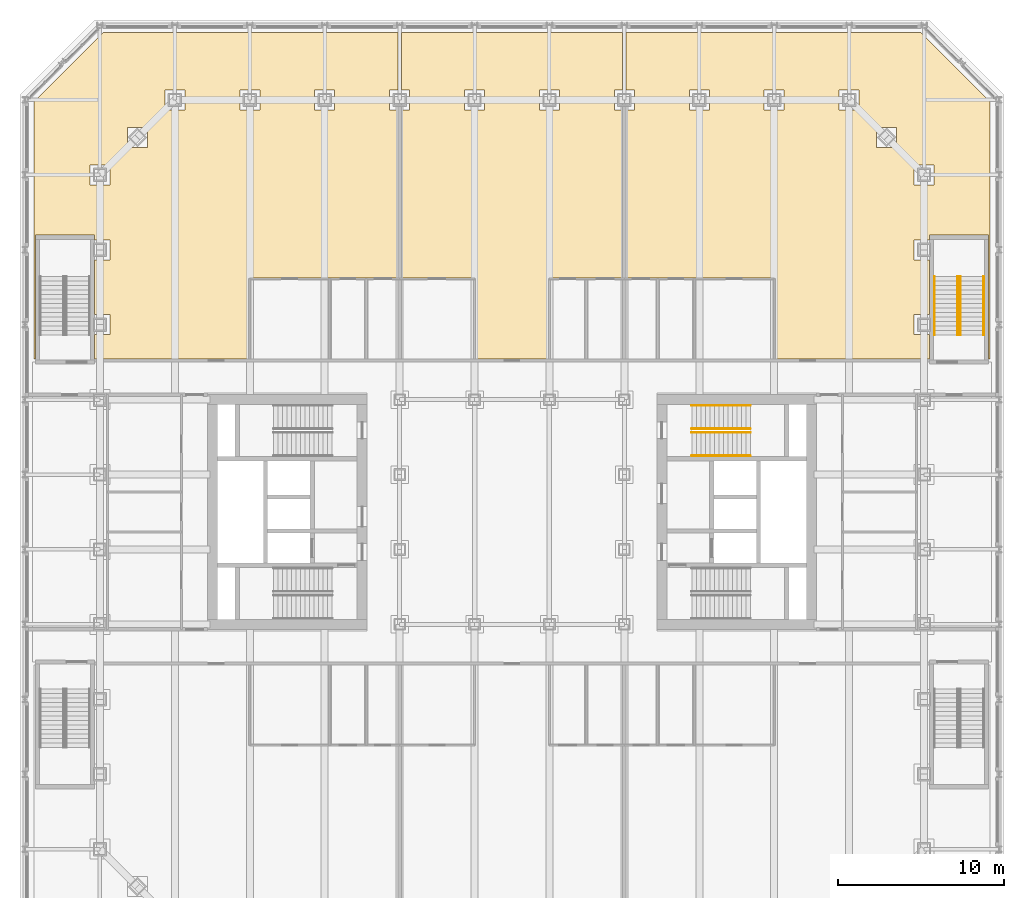
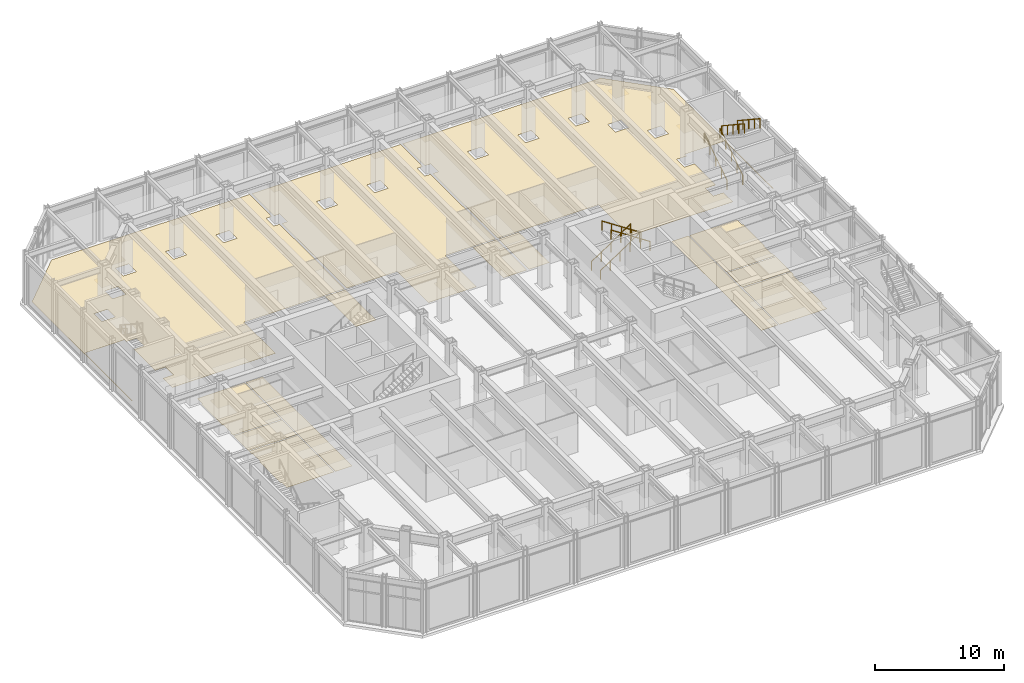
# One storey, part 19 of 19: 8 railings, 1 covering.
"""IFC4 building model written with IfcOpenShell, lengths in metres."""

from ifc_helpers import new_model, si_unit, direction, frame, origin, origin_2d, place, context, subcontext, project, spatial, line, indexed_curve, circle, outline, extrude, material, layer, layer_set, type_object, element, save


model = new_model("IFC4")

# Units and contexts
model_context = context("Model", 3, precision=1e-05, world=origin(), true_north=direction((0.0, 1.0)))
body_context = subcontext(model_context, "Body", "Model", "MODEL_VIEW")
ifc_project = project(units=[si_unit("LENGTHUNIT", "METRE"), si_unit("AREAUNIT", "SQUARE_METRE"), si_unit("VOLUMEUNIT", "CUBIC_METRE"), si_unit("PLANEANGLEUNIT", "RADIAN"), si_unit("MASSUNIT", "GRAM", prefix="KILO")], contexts=[model_context])

# Site, building, storey
site_placement = place(None, origin())
site = spatial("IfcSite", under=ifc_project, at=site_placement, CompositionType="ELEMENT")
building_placement = place(site_placement, origin())
building = spatial("IfcBuilding", under=site, at=building_placement, Name="Msasa Ring Tower", CompositionType="ELEMENT")
storey_placement = place(building_placement, frame((0.0, 0.0, 6.0)))
storey = spatial("IfcBuildingStorey", under=building, at=storey_placement, Name="L01", CompositionType="ELEMENT", Elevation=6.0)

# Covering
ifc_material_1 = material(Name="Porcelain floor tiles in adhesive", Category="ceramic")
ifc_layer = layer(ifc_material_1, 0.010009765625)
ifc_layer_set = layer_set([ifc_layer], Name="F4 PORCELAIN TILE ON ADHESIVE 10")
covering_type = type_object("IfcCoveringType", Name="F4 PORCELAIN TILE ON ADHESIVE 10", PredefinedType="FLOORING", material=ifc_layer_set)
covering_placement = place(storey_placement, origin())
element("IfcCovering", 1, at=covering_placement, inside=storey, type_object=covering_type, Name="Porcelain Tile On Adhesive 10 L01", PredefinedType="FLOORING", context=body_context, shape_type="SweptSolid", body=[
    extrude(outline(indexed_curve([(-28.630615234375, 9.200439453125), (-28.699462890625, 9.200439453125), (-28.699462890625, 24.663330078125), (-24.5634765625, 28.799560546875), (-6.8505859375, 28.799560546875), (-6.8505859375, 25.3505859375), (-7.3505859375, 25.3505859375), (-7.3505859375, 24.1494140625), (-6.8505859375, 24.1494140625), (-6.8505859375, 14.060546875), (-15.8505859375, 14.060546875), (-15.8505859375, 9.200439453125), (-25.069580078125, 9.200439453125), (-25.069580078125, 10.6494140625), (-24.1494140625, 10.6494140625), (-24.1494140625, 11.8505859375), (-25.069580078125, 11.8505859375), (-25.069580078125, 15.1494140625), (-24.1494140625, 15.1494140625), (-24.1494140625, 16.3505859375), (-25.069580078125, 16.3505859375), (-25.069580078125, 16.630615234375), (-28.630615234375, 16.630615234375)], segments=[line(1, 2, 3, 4, 5, 6, 7, 8, 9, 10, 11, 12, 13, 14, 15, 16, 17, 18, 19, 20, 21, 22, 23, 1)], self_intersect=False), holes=[indexed_curve([(-24.1494140625, 19.6494140625), (-24.1494140625, 20.8505859375), (-25.3505859375, 20.8505859375), (-25.3505859375, 19.6494140625)], segments=[line(1, 2, 3, 4, 1)], self_intersect=False), indexed_curve([(-21.8994140625, 21.8994140625), (-21.8994140625, 23.1005859375), (-23.1005859375, 23.1005859375), (-23.1005859375, 21.8994140625)], segments=[line(1, 2, 3, 4, 1)], self_intersect=False), indexed_curve([(-15.1494140625, 24.1494140625), (-15.1494140625, 25.3505859375), (-16.3505859375, 25.3505859375), (-16.3505859375, 24.1494140625)], segments=[line(1, 2, 3, 4, 1)], self_intersect=False), indexed_curve([(-10.6494140625, 24.1494140625), (-10.6494140625, 25.3505859375), (-11.8505859375, 25.3505859375), (-11.8505859375, 24.1494140625)], segments=[line(1, 2, 3, 4, 1)], self_intersect=False), indexed_curve([(-20.8505859375, 24.1494140625), (-19.6494140625, 24.1494140625), (-19.6494140625, 25.3505859375), (-20.8505859375, 25.3505859375)], segments=[line(1, 2, 3, 4, 1)], self_intersect=False)]), origin(), (0.0, 0.0, 1.0), 0.010009765625),
    extrude(outline(indexed_curve([(-24.239501953125, -2.8505859375), (-24.1494140625, -2.8505859375), (-24.1494140625, -1.6494140625), (-24.239501953125, -1.6494140625), (-24.239501953125, -1.255615234375), (-19.905517578125, -1.255615234375), (-19.905517578125, -6.949462890625), (-24.1494140625, -6.949462890625), (-24.1494140625, -6.1494140625), (-24.239501953125, -6.1494140625)], segments=[line(1, 2, 3, 4, 5, 6, 7, 8, 9, 10, 1)], self_intersect=False)), origin(), (0.0, 0.0, 1.0), 0.010009765625),
    extrude(outline(indexed_curve([(-19.905517578125, 1.14453125), (-19.905517578125, -1.14453125), (-24.239501953125, -1.14453125), (-24.239501953125, 1.14453125)], segments=[line(1, 2, 3, 4, 1)], self_intersect=False)), origin(), (0.0, 0.0, 1.0), 0.010009765625),
    extrude(outline(indexed_curve([(-19.905517578125, 1.255615234375), (-24.239501953125, 1.255615234375), (-24.239501953125, 1.6494140625), (-24.1494140625, 1.6494140625), (-24.1494140625, 2.8505859375), (-24.239501953125, 2.8505859375), (-24.239501953125, 6.1494140625), (-24.1494140625, 6.1494140625), (-24.1494140625, 6.949462890625), (-19.905517578125, 6.949462890625)], segments=[line(1, 2, 3, 4, 5, 6, 7, 8, 9, 10, 1)], self_intersect=False)), origin(), (0.0, 0.0, 1.0), 0.010009765625),
    extrude(outline(indexed_curve([(-18.300537109375, 6.949462890625), (-18.300537109375, -6.949462890625), (-19.79443359375, -6.949462890625), (-19.79443359375, 6.949462890625)], segments=[line(1, 2, 3, 4, 1)], self_intersect=False)), origin(), (0.0, 0.0, 1.0), 0.010009765625),
    extrude(outline(indexed_curve([(-6.8505859375, 13.939453125), (-6.8505859375, 9.200439453125), (-8.6494140625, 9.200439453125), (-8.6494140625, 13.939453125)], segments=[line(1, 2, 3, 4, 1)], self_intersect=False)), origin(), (0.0, 0.0, 1.0), 0.010009765625),
    extrude(outline(indexed_curve([(6.6494140625, 28.799560546875), (6.6494140625, 25.3505859375), (6.1494140625, 25.3505859375), (6.1494140625, 24.1494140625), (6.6494140625, 24.1494140625), (6.6494140625, 14.060546875), (2.1494140625, 14.060546875), (2.1494140625, 9.200439453125), (-2.1494140625, 9.200439453125), (-2.1494140625, 14.060546875), (-6.6494140625, 14.060546875), (-6.6494140625, 24.1494140625), (-6.1494140625, 24.1494140625), (-6.1494140625, 25.3505859375), (-6.6494140625, 25.3505859375), (-6.6494140625, 28.799560546875)], segments=[line(1, 2, 3, 4, 5, 6, 7, 8, 9, 10, 11, 12, 13, 14, 15, 16, 1)], self_intersect=False), holes=[indexed_curve([(-1.6494140625, 24.1494140625), (-1.6494140625, 25.3505859375), (-2.8505859375, 25.3505859375), (-2.8505859375, 24.1494140625)], segments=[line(1, 2, 3, 4, 1)], self_intersect=False), indexed_curve([(2.8505859375, 24.1494140625), (2.8505859375, 25.3505859375), (1.6494140625, 25.3505859375), (1.6494140625, 24.1494140625)], segments=[line(1, 2, 3, 4, 1)], self_intersect=False)]), origin(), (0.0, 0.0, 1.0), 0.010009765625),
    extrude(outline(indexed_curve([(6.6494140625, 13.939453125), (6.6494140625, 9.200439453125), (4.550537109375, 9.200439453125), (4.550537109375, 13.939453125)], segments=[line(1, 2, 3, 4, 1)], self_intersect=False)), origin(), (0.0, 0.0, 1.0), 0.010009765625),
    extrude(outline(indexed_curve([(15.8505859375, 14.060546875), (6.8505859375, 14.060546875), (6.8505859375, 24.1494140625), (7.3505859375, 24.1494140625), (7.3505859375, 25.3505859375), (6.8505859375, 25.3505859375), (6.8505859375, 28.799560546875), (24.5634765625, 28.799560546875), (28.699462890625, 24.663330078125), (28.699462890625, 9.200439453125), (28.630615234375, 9.200439453125), (28.630615234375, 16.630615234375), (25.069580078125, 16.630615234375), (25.069580078125, 16.3505859375), (24.1494140625, 16.3505859375), (24.1494140625, 15.1494140625), (25.069580078125, 15.1494140625), (25.069580078125, 11.8505859375), (24.1494140625, 11.8505859375), (24.1494140625, 10.6494140625), (25.069580078125, 10.6494140625), (25.069580078125, 9.200439453125), (15.8505859375, 9.200439453125)], segments=[line(1, 2, 3, 4, 5, 6, 7, 8, 9, 10, 11, 12, 13, 14, 15, 16, 17, 18, 19, 20, 21, 22, 23, 1)], self_intersect=False), holes=[indexed_curve([(25.3505859375, 19.6494140625), (25.3505859375, 20.8505859375), (24.1494140625, 20.8505859375), (24.1494140625, 19.6494140625)], segments=[line(1, 2, 3, 4, 1)], self_intersect=False), indexed_curve([(23.1005859375, 21.8994140625), (23.1005859375, 23.1005859375), (21.8994140625, 23.1005859375), (21.8994140625, 21.8994140625)], segments=[line(1, 2, 3, 4, 1)], self_intersect=False), indexed_curve([(20.8505859375, 24.1494140625), (20.8505859375, 25.3505859375), (19.6494140625, 25.3505859375), (19.6494140625, 24.1494140625)], segments=[line(1, 2, 3, 4, 1)], self_intersect=False), indexed_curve([(16.3505859375, 24.1494140625), (16.3505859375, 25.3505859375), (15.1494140625, 25.3505859375), (15.1494140625, 24.1494140625)], segments=[line(1, 2, 3, 4, 1)], self_intersect=False), indexed_curve([(10.6494140625, 24.1494140625), (11.8505859375, 24.1494140625), (11.8505859375, 25.3505859375), (10.6494140625, 25.3505859375)], segments=[line(1, 2, 3, 4, 1)], self_intersect=False)]), origin(), (0.0, 0.0, 1.0), 0.010009765625),
    extrude(outline(indexed_curve([(8.6494140625, 13.939453125), (8.6494140625, 9.200439453125), (6.8505859375, 9.200439453125), (6.8505859375, 13.939453125)], segments=[line(1, 2, 3, 4, 1)], self_intersect=False)), origin(), (0.0, 0.0, 1.0), 0.010009765625),
    extrude(outline(indexed_curve([(19.79443359375, -6.949462890625), (18.300537109375, -6.949462890625), (18.300537109375, 6.949462890625), (19.79443359375, 6.949462890625)], segments=[line(1, 2, 3, 4, 1)], self_intersect=False)), origin(), (0.0, 0.0, 1.0), 0.010009765625),
    extrude(outline(indexed_curve([(19.905517578125, -1.255615234375), (24.239501953125, -1.255615234375), (24.239501953125, -1.6494140625), (24.1494140625, -1.6494140625), (24.1494140625, -2.8505859375), (24.239501953125, -2.8505859375), (24.239501953125, -6.1494140625), (24.1494140625, -6.1494140625), (24.1494140625, -6.949462890625), (19.905517578125, -6.949462890625)], segments=[line(1, 2, 3, 4, 5, 6, 7, 8, 9, 10, 1)], self_intersect=False)), origin(), (0.0, 0.0, 1.0), 0.010009765625),
    extrude(outline(indexed_curve([(24.239501953125, 1.14453125), (24.239501953125, -1.14453125), (19.905517578125, -1.14453125), (19.905517578125, 1.14453125)], segments=[line(1, 2, 3, 4, 1)], self_intersect=False)), origin(), (0.0, 0.0, 1.0), 0.010009765625),
    extrude(outline(indexed_curve([(24.239501953125, 2.8505859375), (24.1494140625, 2.8505859375), (24.1494140625, 1.6494140625), (24.239501953125, 1.6494140625), (24.239501953125, 1.255615234375), (19.905517578125, 1.255615234375), (19.905517578125, 6.949462890625), (24.1494140625, 6.949462890625), (24.1494140625, 6.1494140625), (24.239501953125, 6.1494140625)], segments=[line(1, 2, 3, 4, 5, 6, 7, 8, 9, 10, 1)], self_intersect=False)), origin(), (0.0, 0.0, 1.0), 0.010009765625),
])

# Railings
ifc_material_2 = material(Name="Stainless steel", Category="steel")
railing_type = type_object("IfcRailingType", Name="HR1 HANDRAIL 900", PredefinedType="HANDRAIL", material=ifc_material_2)
for number, where, name in (
    (2, (10.800048828125, 5.0, 0.178466796875), "Handrail stair SEB L01 1"),
    (3, (10.800048828125, 6.39990234375, 0.178466796875), "Handrail stair SEB L01 2"),
):
    element("IfcRailing", number, at=place(storey_placement, frame(where)), inside=storey, type_object=railing_type, Name=name, PredefinedType="HANDRAIL", context=body_context, shape_type="SweptSolid", body=[
        extrude(circle(Radius=0.02392578125, at=origin_2d()), frame((0.0, 0.0, 0.8759765625), z_axis=(0.834070780157, 0.0, 0.551657442339), x_axis=(0.0, 1.0, 0.0)), (0.0, 0.0, 1.0), 4.208251953125),
        extrude(circle(Radius=0.02099609375, at=origin_2d()), origin(), (0.0, 0.0, 1.0), 0.851806640625),
        extrude(circle(Radius=0.02099609375, at=origin_2d()), frame((0.87744140625, 0.0, 0.580322265625)), (0.0, 0.0, 1.0), 0.851806640625),
        extrude(circle(Radius=0.02099609375, at=origin_2d()), frame((1.7548828125, 0.0, 1.16064453125)), (0.0, 0.0, 1.0), 0.851806640625),
        extrude(circle(Radius=0.02099609375, at=origin_2d()), frame((2.632568359375, 0.0, 1.7412109375)), (0.0, 0.0, 1.0), 0.851806640625),
        extrude(circle(Radius=0.02099609375, at=origin_2d()), frame((3.510009765625, 0.0, 2.321533203125)), (0.0, 0.0, 1.0), 0.851806640625),
    ])
for number, where, name in (
    (4, (14.31005859375, 3.375, 2.678466796875), "Handrail stair SEB L01 3"),
    (5, (14.31005859375, 4.77490234375, 2.678466796875), "Handrail stair SEB L01 4"),
):
    element("IfcRailing", number, at=place(storey_placement, frame(where)), inside=storey, type_object=railing_type, Name=name, PredefinedType="HANDRAIL", context=body_context, shape_type="SweptSolid", body=[
        extrude(circle(Radius=0.02392578125, at=origin_2d()), frame((0.0, 0.0, 0.8759765625), z_axis=(-0.834070780157, 0.0, 0.551657442339), x_axis=(0.0, -1.0, 0.0)), (0.0, 0.0, 1.0), 4.208251953125),
        extrude(circle(Radius=0.02099609375, at=origin_2d()), origin(), (0.0, 0.0, 1.0), 0.851806640625),
        extrude(circle(Radius=0.02099609375, at=origin_2d()), frame((-0.87744140625, 0.0, 0.580322265625)), (0.0, 0.0, 1.0), 0.851806640625),
        extrude(circle(Radius=0.02099609375, at=origin_2d()), frame((-1.7548828125, 0.0, 1.16064453125)), (0.0, 0.0, 1.0), 0.851806640625),
        extrude(circle(Radius=0.02099609375, at=origin_2d()), frame((-2.632568359375, 0.0, 1.7412109375)), (0.0, 0.0, 1.0), 0.851806640625),
        extrude(circle(Radius=0.02099609375, at=origin_2d()), frame((-3.510009765625, 0.0, 2.321533203125)), (0.0, 0.0, 1.0), 0.851806640625),
    ])
for number, where, name in (
    (6, (25.375, 10.625, 0.178466796875), "Handrail podium stair PEN L01 1"),
    (7, (26.77490234375, 10.625, 0.178466796875), "Handrail podium stair PEN L01 2"),
):
    element("IfcRailing", number, at=place(storey_placement, frame(where)), inside=storey, type_object=railing_type, Name=name, PredefinedType="HANDRAIL", context=body_context, shape_type="SweptSolid", body=[
        extrude(circle(Radius=0.02392578125, at=origin_2d()), frame((0.0, 0.0, 0.8759765625), z_axis=(0.0, 0.834070780157, 0.551657442339), x_axis=(-1.0, 0.0, 0.0)), (0.0, 0.0, 1.0), 4.208251953125),
        extrude(circle(Radius=0.02099609375, at=origin_2d()), origin(), (0.0, 0.0, 1.0), 0.851806640625),
        extrude(circle(Radius=0.02099609375, at=origin_2d()), frame((0.0, 0.87744140625, 0.580322265625)), (0.0, 0.0, 1.0), 0.851806640625),
        extrude(circle(Radius=0.02099609375, at=origin_2d()), frame((0.0, 1.7548828125, 1.16064453125)), (0.0, 0.0, 1.0), 0.851806640625),
        extrude(circle(Radius=0.02099609375, at=origin_2d()), frame((0.0, 2.632568359375, 1.7412109375)), (0.0, 0.0, 1.0), 0.851806640625),
        extrude(circle(Radius=0.02099609375, at=origin_2d()), frame((0.0, 3.510009765625, 2.321533203125)), (0.0, 0.0, 1.0), 0.851806640625),
    ])
for number, where, name in (
    (8, (26.925048828125, 14.135009765625, 2.678466796875), "Handrail podium stair PEN L01 3"),
    (9, (28.324951171875, 14.135009765625, 2.678466796875), "Handrail podium stair PEN L01 4"),
):
    element("IfcRailing", number, at=place(storey_placement, frame(where)), inside=storey, type_object=railing_type, Name=name, PredefinedType="HANDRAIL", context=body_context, shape_type="SweptSolid", body=[
        extrude(circle(Radius=0.02392578125, at=origin_2d()), frame((0.0, 0.0, 0.8759765625), z_axis=(0.0, -0.834070780157, 0.551657442339), x_axis=(1.0, 0.0, 0.0)), (0.0, 0.0, 1.0), 4.208251953125),
        extrude(circle(Radius=0.02099609375, at=origin_2d()), origin(), (0.0, 0.0, 1.0), 0.851806640625),
        extrude(circle(Radius=0.02099609375, at=origin_2d()), frame((0.0, -0.87744140625, 0.580322265625)), (0.0, 0.0, 1.0), 0.851806640625),
        extrude(circle(Radius=0.02099609375, at=origin_2d()), frame((0.0, -1.7548828125, 1.16064453125)), (0.0, 0.0, 1.0), 0.851806640625),
        extrude(circle(Radius=0.02099609375, at=origin_2d()), frame((0.0, -2.632568359375, 1.7412109375)), (0.0, 0.0, 1.0), 0.851806640625),
        extrude(circle(Radius=0.02099609375, at=origin_2d()), frame((0.0, -3.510009765625, 2.321533203125)), (0.0, 0.0, 1.0), 0.851806640625),
    ])

save(model, "model.ifc")
